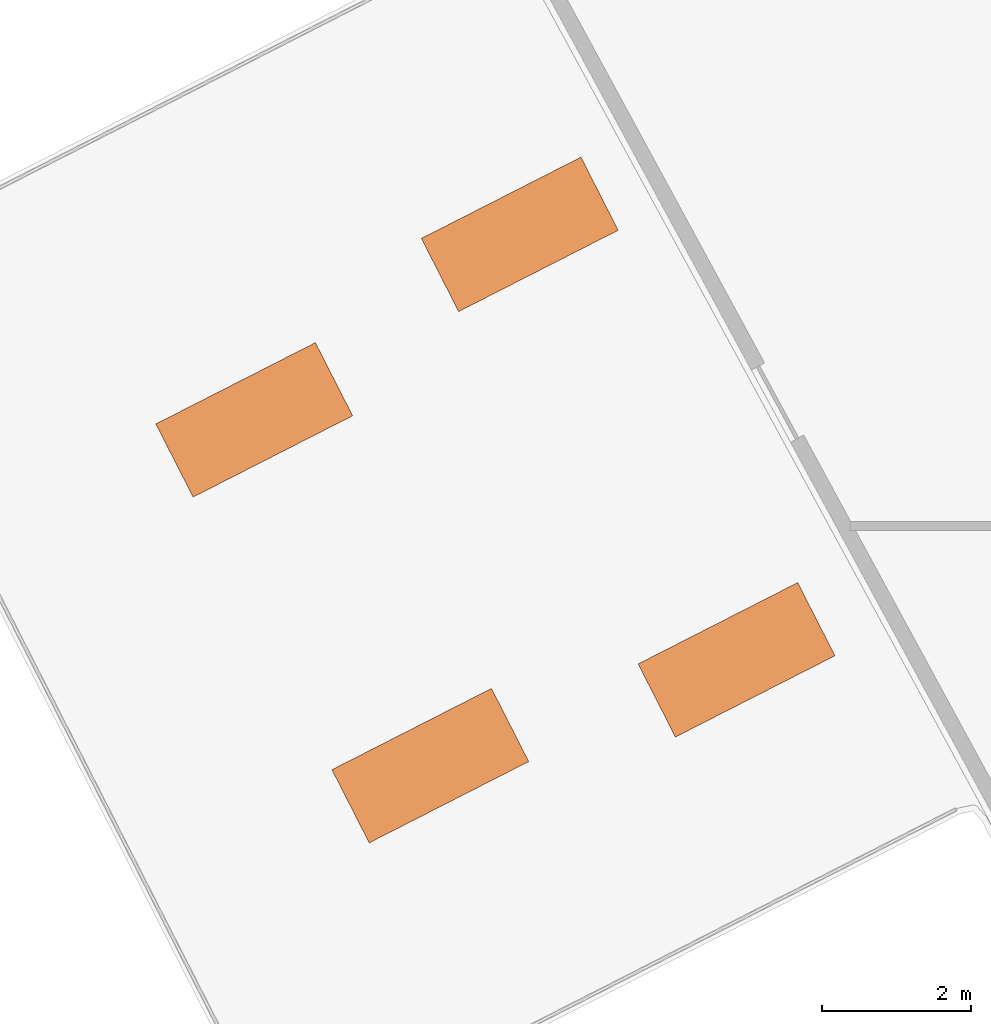
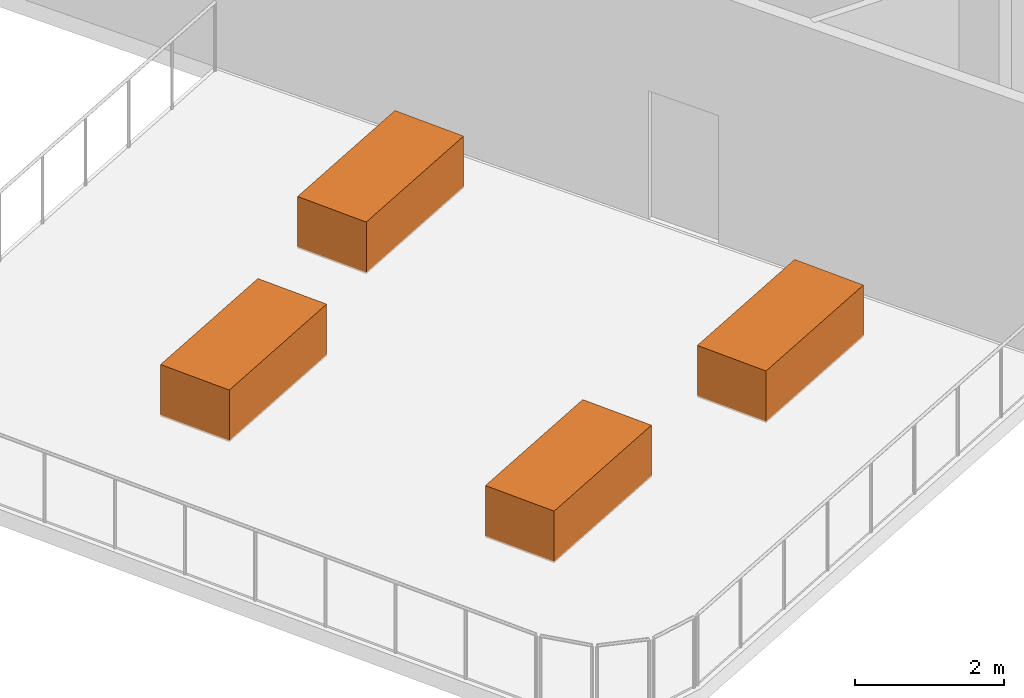
# One storey, part 10 of 10: 4 proxies.
"""IFC4 building model written with IfcOpenShell, lengths in metres."""

from ifc_helpers import new_model, si_unit, direction, frame, origin, origin_2d, place, context, subcontext, project, spatial, rectangle, extrude, material, type_object, element, save


model = new_model("IFC4")

# Units and contexts
model_context = context("Model", 3, precision=1e-05, world=origin(), true_north=direction((0.0, 1.0)))
body_context = subcontext(model_context, "Body", "Model", "MODEL_VIEW")
ifc_project = project(units=[si_unit("LENGTHUNIT", "METRE"), si_unit("AREAUNIT", "SQUARE_METRE"), si_unit("VOLUMEUNIT", "CUBIC_METRE"), si_unit("PLANEANGLEUNIT", "RADIAN"), si_unit("MASSUNIT", "GRAM", prefix="KILO")], contexts=[model_context])

# Site, building, storey
site_placement = place(None, origin())
site = spatial("IfcSite", under=ifc_project, at=site_placement, CompositionType="ELEMENT")
building_placement = place(site_placement, origin())
building = spatial("IfcBuilding", under=site, at=building_placement, Name="Solmarez Civic Tower", CompositionType="ELEMENT")
storey_placement = place(building_placement, frame((0.0, 0.0, 200.8798828125)))
storey = spatial("IfcBuildingStorey", under=building, at=storey_placement, Name="L53", CompositionType="ELEMENT", Elevation=200.8798828125)

# Proxies
ifc_material = material(Name="Precast concrete C40/50", Category="concrete")
building_element_proxy_type = type_object("IfcBuildingElementProxyType", Name="PROXY-PLANTER-RC", PredefinedType="USERDEFINED", material=ifc_material)
for number, where, z_axis, x_axis, name in (
    (1, (-13.2490234375, -10.342041015625, 0.0), (0.0, 0.0, 1.0), (0.891006524188, 0.45399049974, 0.0), "L53 Botanical Sky Garden Structural Planter 1"),
    (2, (-16.154052734375, -4.639892578125, 0.0), (0.0, 0.0, 1.0), (0.891006524188, 0.45399049974, 0.0), "L53 Botanical Sky Garden Structural Planter 2"),
    (3, (-17.35302734375, -11.760009765625, 0.0), (0.0, 0.0, 1.0), (0.891006524188, 0.45399049974, 0.0), "L53 Botanical Sky Garden Structural Planter 3"),
    (4, (-19.712890625, -7.1259765625, 0.0), (0.0, 0.0, 1.0), (0.891006524188, 0.45399049974, 0.0), "L53 Botanical Sky Garden Structural Planter 4"),
):
    element("IfcBuildingElementProxy", number, at=place(storey_placement, frame(where, z_axis=z_axis, x_axis=x_axis)), inside=storey, type_object=building_element_proxy_type, Name=name, ObjectType="PLANTER", PredefinedType="USERDEFINED", context=body_context, shape_type="SweptSolid", body=[
        extrude(rectangle(XDim=2.39990234375, YDim=1.10009765625, at=origin_2d()), origin(), (0.0, 0.0, 1.0), 0.85009765625),
    ])

save(model, "model.ifc")
